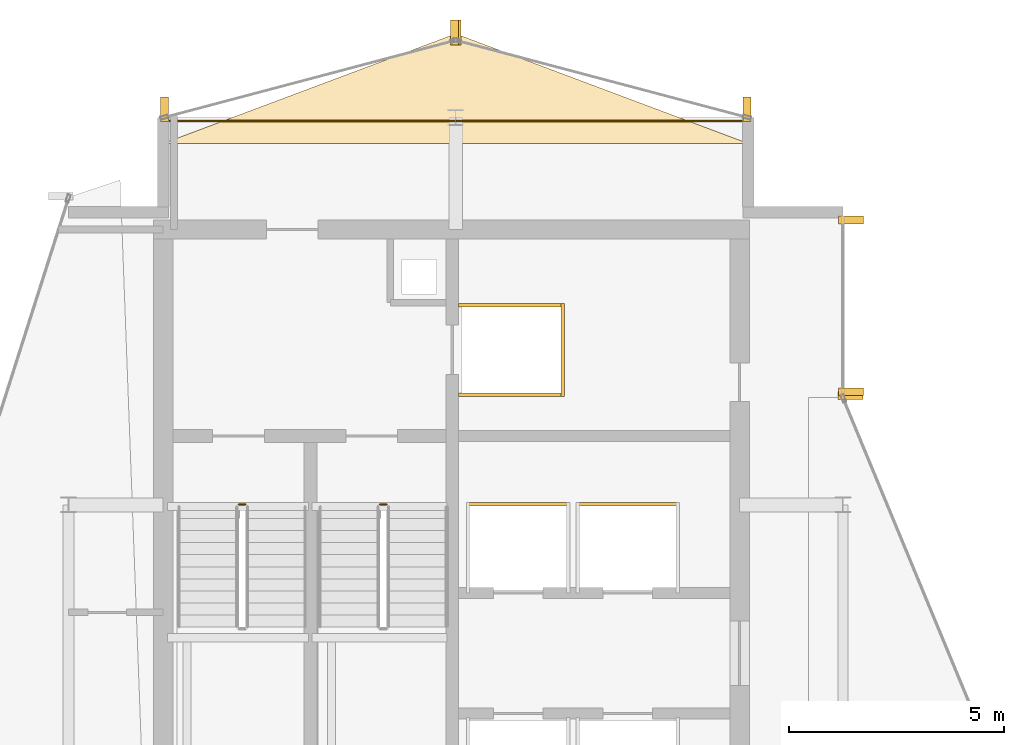
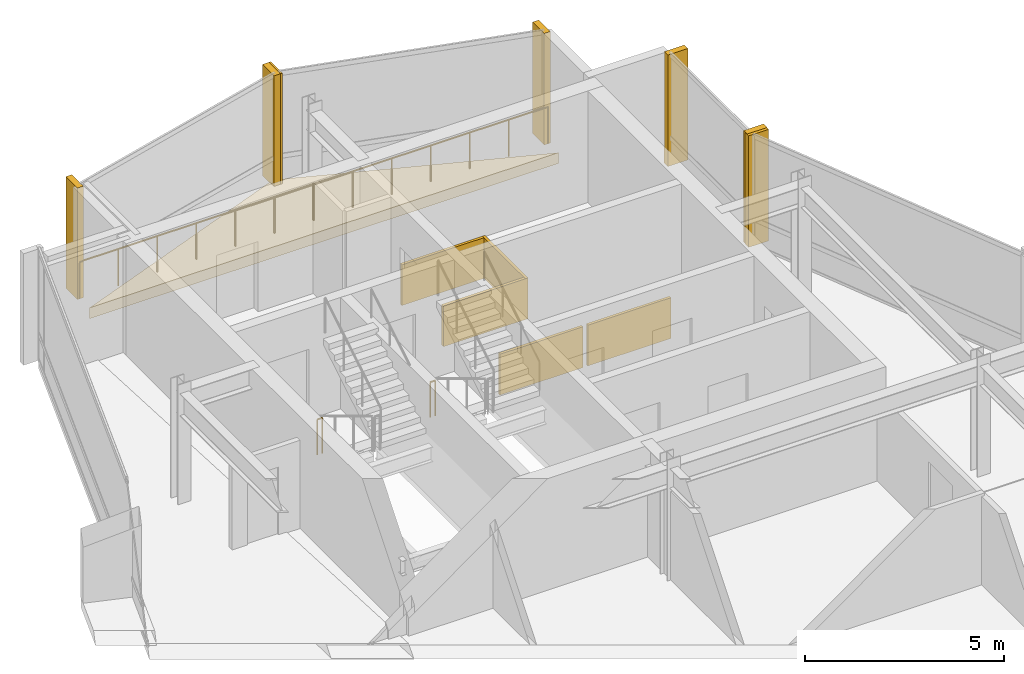
# One storey, part 19 of 19: 13 coverings, 3 railings.
"""IFC4 building model written with IfcOpenShell, lengths in metres."""

from ifc_helpers import new_model, si_unit, direction, frame, origin, origin_2d, place, context, subcontext, project, spatial, polyline, rectangle, circle, outline, extrude, material, layer, layer_set, type_object, element, save


model = new_model("IFC4")

# Units and contexts
model_context = context("Model", 3, precision=1e-05, world=origin(), true_north=direction((0.0, 1.0)))
body_context = subcontext(model_context, "Body", "Model", "MODEL_VIEW")
ifc_project = project(units=[si_unit("LENGTHUNIT", "METRE"), si_unit("AREAUNIT", "SQUARE_METRE"), si_unit("VOLUMEUNIT", "CUBIC_METRE"), si_unit("PLANEANGLEUNIT", "RADIAN"), si_unit("MASSUNIT", "GRAM", prefix="KILO")], contexts=[model_context])

# Site, building, storey
site_placement = place(None, origin())
site = spatial("IfcSite", under=ifc_project, at=site_placement, CompositionType="ELEMENT")
building_placement = place(site_placement, origin())
building = spatial("IfcBuilding", under=site, at=building_placement, Name="Solvaryn Broadcast Tower", CompositionType="ELEMENT")
storey_placement = place(building_placement, frame((0.0, 0.0, 290.0)))
storey = spatial("IfcBuildingStorey", under=building, at=storey_placement, Name="L73", CompositionType="ELEMENT", Elevation=290.0)

# Coverings
ifc_material_1 = material(Name="Fire-Rated Gypsum Shaftwall Liner", Category="concrete")
ifc_layer_1 = layer(ifc_material_1, 0.080078125)
ifc_layer_set_1 = layer_set([ifc_layer_1], Name="CV-SHAFT-LINER")
covering_type_1 = type_object("IfcCoveringType", Name="CV-SHAFT-LINER", PredefinedType="CLADDING", material=ifc_layer_set_1)
for number, where, z_axis, x_axis, name in (
    (1, (19.300048828125, 40.639892578125, 0.0), (0.0, 0.0, 1.0), (1.0, 0.0, 0.0), "L73 FL1 Hoistway Shaft Liner North"),
    (2, (19.300048828125, 38.56005859375, 0.0), (0.0, 0.0, 1.0), (1.0, 0.0, 0.0), "L73 FL1 Hoistway Shaft Liner South"),
):
    element("IfcCovering", number, at=place(storey_placement, frame(where, z_axis=z_axis, x_axis=x_axis)), inside=storey, type_object=covering_type_1, Name=name, PredefinedType="CLADDING", context=body_context, shape_type="SweptSolid", body=[
        extrude(rectangle(XDim=2.4599609375, YDim=0.080078125, at=origin_2d()), origin(), (0.0, 0.0, 1.0), 1.25),
    ])
covering_1_placement = place(storey_placement, frame((20.489990234375, 39.60009765625, 0.0), z_axis=(0.0, 0.0, 1.0), x_axis=(1.0, 0.0, 0.0)))
element("IfcCovering", 3, at=covering_1_placement, inside=storey, type_object=covering_type_1, Name="L73 FL1 Hoistway Shaft Liner East", PredefinedType="CLADDING", context=body_context, shape_type="SweptSolid", body=[
    extrude(rectangle(XDim=0.080078125, YDim=2.159912109375, at=origin_2d()), origin(), (0.0, 0.0, 1.0), 1.25),
])
for number, where, z_axis, x_axis, name in (
    (4, (19.449951171875, 36.014892578125, 0.0), (0.0, 0.0, 1.0), (1.0, 0.0, 0.0), "L73 PH3 Hoistway Shaft Liner North"),
    (5, (22.0, 36.014892578125, 0.0), (0.0, 0.0, 1.0), (1.0, 0.0, 0.0), "L73 PH4 Hoistway Shaft Liner North"),
):
    element("IfcCovering", number, at=place(storey_placement, frame(where, z_axis=z_axis, x_axis=x_axis)), inside=storey, type_object=covering_type_1, Name=name, PredefinedType="CLADDING", context=body_context, shape_type="SweptSolid", body=[
        extrude(rectangle(XDim=2.409912109375, YDim=0.080078125, at=origin_2d()), origin(), (0.0, 0.0, 1.0), 1.25),
    ])
ifc_material_2 = material(Name="Extruded Architectural Terracotta Fin", Category="masonry")
ifc_layer_2 = layer(ifc_material_2, 0.179931640625)
ifc_layer_set_2 = layer_set([ifc_layer_2], Name="CV-TC-FIN")
covering_type_2 = type_object("IfcCoveringType", Name="CV-TC-FIN", PredefinedType="USERDEFINED", material=ifc_layer_set_2)
for number, where, z_axis, x_axis, name in (
    (6, (27.1875, 42.6201171875, 0.0), (0.0, 0.0, 1.0), (1.0, 0.0, 0.0), "L73 Terracotta Vertical Fin FIN-L73-IV-M00"),
    (7, (27.1875, 38.6298828125, 0.0), (0.0, 0.0, 1.0), (1.0, 0.0, 0.0), "L73 Terracotta Vertical Fin FIN-L73-IV-M01"),
    (8, (27.177978515625, 38.541259765625, 0.0), (0.0, 0.0, 1.0), (1.0, 0.0, 0.0), "L73 Terracotta Vertical Fin FIN-L73-CN2-M01"),
):
    element("IfcCovering", number, at=place(storey_placement, frame(where, z_axis=z_axis, x_axis=x_axis)), inside=storey, type_object=covering_type_2, Name=name, ObjectType="FIN", PredefinedType="USERDEFINED", context=body_context, shape_type="SweptSolid", body=[
        extrude(rectangle(XDim=0.580078125, YDim=0.179931640625, at=origin_2d()), origin(), (0.0, 0.0, 1.0), 3.419921875),
    ])
for number, where, z_axis, x_axis, name in (
    (9, (24.77099609375, 45.1953125, 0.0), (0.0, 0.0, 1.0), (1.0, 0.0, 0.0), "L73 Terracotta Vertical Fin FIN-L73-NT1-M00"),
    (10, (18.029052734375, 46.979736328125, 0.0), (0.0, 0.0, 1.0), (1.0, 0.0, 0.0), "L73 Terracotta Vertical Fin FIN-L73-NT1-M01"),
    (11, (17.970947265625, 46.979736328125, 0.0), (0.0, 0.0, 1.0), (1.0, 0.0, 0.0), "L73 Terracotta Vertical Fin FIN-L73-NT2-M00"),
    (12, (11.22900390625, 45.1953125, 0.0), (0.0, 0.0, 1.0), (1.0, 0.0, 0.0), "L73 Terracotta Vertical Fin FIN-L73-NT2-M01"),
):
    element("IfcCovering", number, at=place(storey_placement, frame(where, z_axis=z_axis, x_axis=x_axis)), inside=storey, type_object=covering_type_2, Name=name, ObjectType="FIN", PredefinedType="USERDEFINED", context=body_context, shape_type="SweptSolid", body=[
        extrude(rectangle(XDim=0.179931640625, YDim=0.580078125, at=origin_2d()), origin(), (0.0, 0.0, 1.0), 3.419921875),
    ])
ifc_material_3 = material(Name="Sculpted Architectural Terracotta Wave Fascia", Category="masonry")
ifc_layer_3 = layer(ifc_material_3, 0.340087890625)
ifc_layer_set_3 = layer_set([ifc_layer_3], Name="CV-WAVE-TRAY")
covering_type_3 = type_object("IfcCoveringType", Name="CV-WAVE-TRAY", PredefinedType="CLADDING", material=ifc_layer_set_3)
covering_2_placement = place(storey_placement, frame((0.0, 0.0, -0.300048828125)))
element("IfcCovering", 13, at=covering_2_placement, inside=storey, type_object=covering_type_3, Name="L73 North Curved Wing Deck", PredefinedType="CLADDING", context=body_context, shape_type="SweptSolid", body=[
    extrude(outline(polyline([(11.199951171875, 44.39990234375), (24.800048828125, 44.39990234375), (18.0, 46.949951171875), (11.199951171875, 44.39990234375)])), origin(), (0.0, 0.0, 1.0), 0.330078125),
])

# Railings
ifc_material_4 = material(Name="Painted Steel Stair Well Guard", Category="steel")
railing_type_1 = type_object("IfcRailingType", Name="RL-STAIR-GUARD", PredefinedType="BALUSTRADE", material=ifc_material_4)
railing_1_placement = place(storey_placement, frame((12.9599609375, 36.010009765625, 0.0)))
element("IfcRailing", 14, at=railing_1_placement, inside=storey, type_object=railing_type_1, Name="L73 ST1 stair guard 4", PredefinedType="BALUSTRADE", context=body_context, shape_type="SweptSolid", body=[
    extrude(circle(Radius=0.02392578125, at=origin_2d()), frame((0.0, 0.0, 1.076171875), z_axis=(1.0, 0.0, 0.0), x_axis=(0.0, 1.0, 0.0)), (0.0, 0.0, 1.0), 0.150146484375),
    extrude(circle(Radius=0.02099609375, at=origin_2d()), origin(), (0.0, 0.0, 1.0), 1.052001953125),
    extrude(circle(Radius=0.02099609375, at=origin_2d()), frame((0.150146484375, 0.0, 0.0)), (0.0, 0.0, 1.0), 1.052001953125),
])
railing_2_placement = place(storey_placement, frame((16.239990234375, 36.010009765625, 0.0)))
element("IfcRailing", 15, at=railing_2_placement, inside=storey, type_object=railing_type_1, Name="L73 ST2 stair guard 4", PredefinedType="BALUSTRADE", context=body_context, shape_type="SweptSolid", body=[
    extrude(circle(Radius=0.02392578125, at=origin_2d()), frame((0.0, 0.0, 1.076171875), z_axis=(1.0, 0.0, 0.0), x_axis=(0.0, 1.0, 0.0)), (0.0, 0.0, 1.0), 0.14990234375),
    extrude(circle(Radius=0.02099609375, at=origin_2d()), origin(), (0.0, 0.0, 1.0), 1.052001953125),
    extrude(circle(Radius=0.02099609375, at=origin_2d()), frame((0.14990234375, 0.0, 0.0)), (0.0, 0.0, 1.0), 1.052001953125),
])
ifc_material_5 = material(Name="Stainless Steel and Laminated Glass Guard", Category="steel")
railing_type_2 = type_object("IfcRailingType", Name="RL-TER-1150", PredefinedType="BALUSTRADE", material=ifc_material_5)
railing_3_placement = place(storey_placement, frame((11.199951171875, 44.919921875, 0.0)))
element("IfcRailing", 16, at=railing_3_placement, inside=storey, type_object=railing_type_2, Name="L73 North Wing Spandrel Edge Guard", PredefinedType="BALUSTRADE", context=body_context, shape_type="SweptSolid", body=[
    extrude(circle(Radius=0.02392578125, at=origin_2d()), frame((0.0, 0.0, 1.1259765625), z_axis=(1.0, 0.0, 0.0), x_axis=(0.0, 1.0, 0.0)), (0.0, 0.0, 1.0), 13.60009765625),
    extrude(circle(Radius=0.02099609375, at=origin_2d()), origin(), (0.0, 0.0, 1.0), 1.101806640625),
    extrude(circle(Radius=0.02099609375, at=origin_2d()), frame((1.13330078125, 0.0, 0.0)), (0.0, 0.0, 1.0), 1.101806640625),
    extrude(circle(Radius=0.02099609375, at=origin_2d()), frame((2.2666015625, 0.0, 0.0)), (0.0, 0.0, 1.0), 1.101806640625),
    extrude(circle(Radius=0.02099609375, at=origin_2d()), frame((3.39990234375, 0.0, 0.0)), (0.0, 0.0, 1.0), 1.101806640625),
    extrude(circle(Radius=0.02099609375, at=origin_2d()), frame((4.533447265625, 0.0, 0.0)), (0.0, 0.0, 1.0), 1.101806640625),
    extrude(circle(Radius=0.02099609375, at=origin_2d()), frame((5.666748046875, 0.0, 0.0)), (0.0, 0.0, 1.0), 1.101806640625),
    extrude(circle(Radius=0.02099609375, at=origin_2d()), frame((6.800048828125, 0.0, 0.0)), (0.0, 0.0, 1.0), 1.101806640625),
    extrude(circle(Radius=0.02099609375, at=origin_2d()), frame((7.933349609375, 0.0, 0.0)), (0.0, 0.0, 1.0), 1.101806640625),
    extrude(circle(Radius=0.02099609375, at=origin_2d()), frame((9.066650390625, 0.0, 0.0)), (0.0, 0.0, 1.0), 1.101806640625),
    extrude(circle(Radius=0.02099609375, at=origin_2d()), frame((10.2001953125, 0.0, 0.0)), (0.0, 0.0, 1.0), 1.101806640625),
    extrude(circle(Radius=0.02099609375, at=origin_2d()), frame((11.33349609375, 0.0, 0.0)), (0.0, 0.0, 1.0), 1.101806640625),
    extrude(circle(Radius=0.02099609375, at=origin_2d()), frame((12.466796875, 0.0, 0.0)), (0.0, 0.0, 1.0), 1.101806640625),
    extrude(circle(Radius=0.02099609375, at=origin_2d()), frame((13.60009765625, 0.0, 0.0)), (0.0, 0.0, 1.0), 1.101806640625),
])

save(model, "model.ifc")
